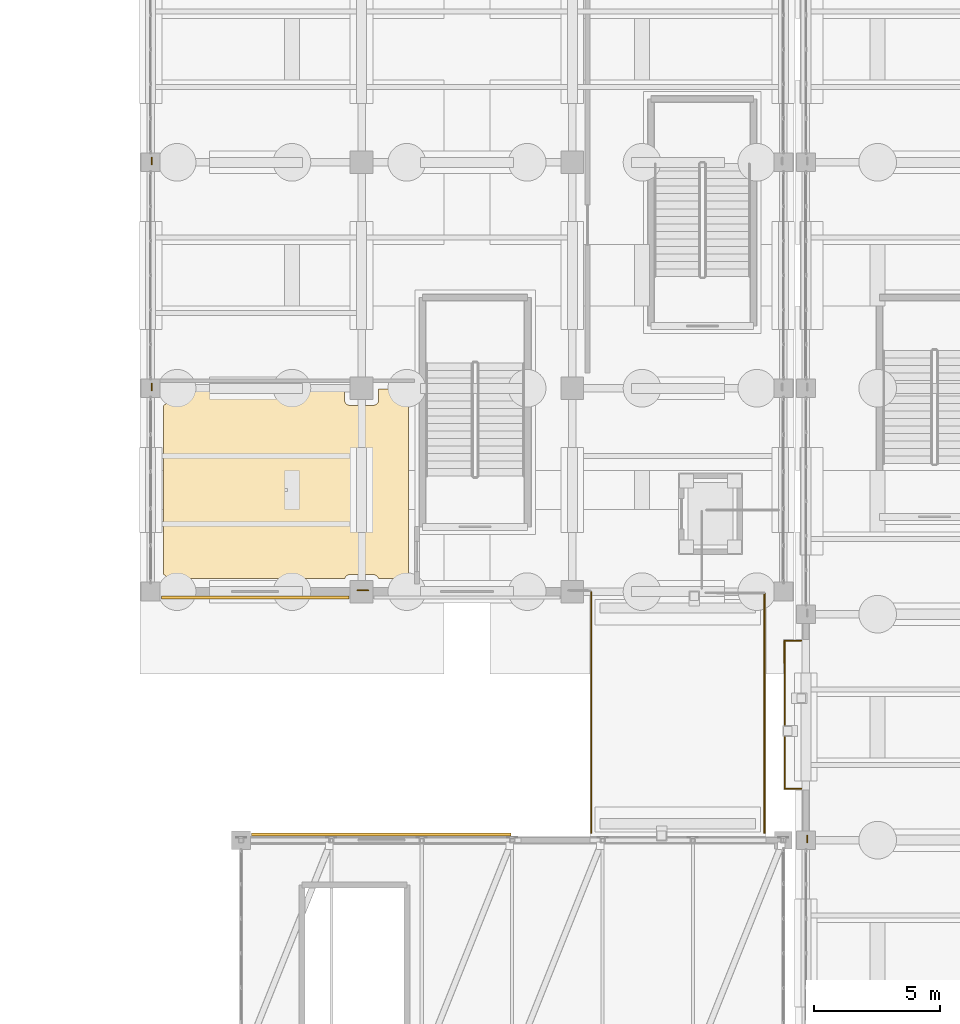
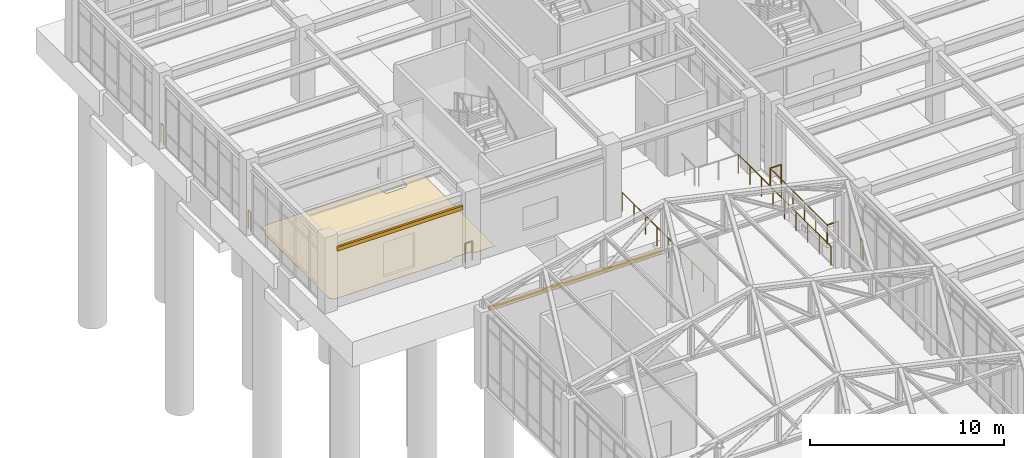
# One storey, part 133 of 139: 9 railings, 3 coverings.
"""IFC4 building model written with IfcOpenShell, lengths in metres."""

from ifc_helpers import new_model, si_unit, direction, frame, origin, origin_2d, place, context, subcontext, project, spatial, polyline, rectangle, circle, outline, extrude, material, layer, layer_set, type_object, element, save


model = new_model("IFC4")

# Units and contexts
model_context = context("Model", 3, precision=1e-05, world=origin(), true_north=direction((0.0, 1.0)))
body_context = subcontext(model_context, "Body", "Model", "MODEL_VIEW")
ifc_project = project(units=[si_unit("LENGTHUNIT", "METRE"), si_unit("AREAUNIT", "SQUARE_METRE"), si_unit("VOLUMEUNIT", "CUBIC_METRE"), si_unit("PLANEANGLEUNIT", "RADIAN"), si_unit("MASSUNIT", "GRAM", prefix="KILO")], contexts=[model_context])

# Site, building, storey
site_placement = place(None, origin())
site = spatial("IfcSite", under=ifc_project, at=site_placement, CompositionType="ELEMENT")
building_placement = place(site_placement, origin())
building = spatial("IfcBuilding", under=site, at=building_placement, Name="Canglan Escarpment Cableway Terminal", CompositionType="ELEMENT")
storey_placement = place(building_placement, frame((0.0, 0.0, 14.39990234375)))
storey = spatial("IfcBuildingStorey", under=building, at=storey_placement, Name="L03", CompositionType="ELEMENT", Elevation=14.39990234375)

# Coverings
ifc_material_1 = material(Name="Carved classical limestone cornice", Category="masonry")
ifc_layer_1 = layer(ifc_material_1, 0.1201171875, Name="Carved classical limestone cornice")
ifc_layer_set_1 = layer_set([ifc_layer_1], Name="Carved classical limestone cornice")
covering_type_1 = type_object("IfcCoveringType", Name="COV-CORNICE-STONE", PredefinedType="CLADDING", material=ifc_layer_set_1)
covering_1_placement = place(storey_placement, frame((120.6875, 79.22998046875, 4.34033203125), z_axis=(0.0, 0.0, 1.0), x_axis=(-1.0, 0.0, 0.0)))
element("IfcCovering", 1, at=covering_1_placement, inside=storey, type_object=covering_type_1, Name="Classical carved limestone cornice CL-01", PredefinedType="CLADDING", context=body_context, shape_type="SweptSolid", body=[
    extrude(rectangle(XDim=10.324951171875, YDim=0.1201171875, at=origin_2d()), origin(), (0.0, 0.0, 1.0), 0.239990234375),
])
covering_2_placement = place(storey_placement, frame((115.66259765625, 88.669921875, 3.630859375), z_axis=(0.0, 0.0, 1.0), x_axis=(1.0, 0.0, 0.0)))
element("IfcCovering", 2, at=covering_2_placement, inside=storey, type_object=covering_type_1, Name="Classical carved limestone cornice CL-01", PredefinedType="CLADDING", context=body_context, shape_type="SweptSolid", body=[
    extrude(rectangle(XDim=7.47509765625, YDim=0.1201171875, at=origin_2d()), origin(), (0.0, 0.0, 1.0), 0.239990234375),
])
ifc_material_2 = material(Name="Honed Sichuan grey granite flooring", Category="masonry")
ifc_layer_2 = layer(ifc_material_2, 0.02001953125, Name="Honed Sichuan grey granite flooring")
ifc_layer_set_2 = layer_set([ifc_layer_2], Name="Honed Sichuan grey granite flooring")
covering_type_2 = type_object("IfcCoveringType", Name="COV-FLR-GRANITE-20", PredefinedType="FLOORING", material=ifc_layer_set_2)
covering_3_placement = place(storey_placement, origin())
element("IfcCovering", 3, at=covering_3_placement, inside=storey, type_object=covering_type_2, Name="Auxiliary Traction Drive Bay stone floor finish", PredefinedType="FLOORING", context=body_context, shape_type="SweptSolid", body=[
    extrude(outline(polyline([(112.033203125, 89.567138671875), (112.031494140625, 89.56787109375), (112.02978515625, 89.56884765625), (112.0283203125, 89.56982421875), (112.02685546875, 89.571044921875), (112.025390625, 89.572265625), (112.024169921875, 89.57373046875), (112.023193359375, 89.5751953125), (112.022216796875, 89.576904296875), (112.021484375, 89.57861328125), (112.020751953125, 89.580322265625), (112.0205078125, 89.582275390625), (112.02001953125, 89.583984375), (112.02001953125, 89.5859375), (112.02001953125, 96.31396484375), (112.02001953125, 96.31591796875), (112.0205078125, 96.31787109375), (112.020751953125, 96.319580078125), (112.021484375, 96.3212890625), (112.022216796875, 96.322998046875), (112.023193359375, 96.32470703125), (112.024169921875, 96.326416015625), (112.025390625, 96.32763671875), (112.02685546875, 96.3291015625), (112.0283203125, 96.330078125), (112.02978515625, 96.331298828125), (112.031494140625, 96.33203125), (112.033203125, 96.332763671875), (112.043701171875, 96.336669921875), (112.044677734375, 96.3369140625), (112.063232421875, 96.345703125), (112.064208984375, 96.34619140625), (112.081787109375, 96.356689453125), (112.08251953125, 96.357421875), (112.09912109375, 96.36962890625), (112.099853515625, 96.370361328125), (112.115234375, 96.384033203125), (112.115966796875, 96.384765625), (112.129638671875, 96.400146484375), (112.13037109375, 96.40087890625), (112.142578125, 96.41748046875), (112.143310546875, 96.418212890625), (112.15380859375, 96.435791015625), (112.154296875, 96.436767578125), (112.1630859375, 96.455322265625), (112.163330078125, 96.456298828125), (112.17041015625, 96.4755859375), (112.170654296875, 96.4765625), (112.17578125, 96.49658203125), (112.17578125, 96.49755859375), (112.178955078125, 96.51806640625), (112.178955078125, 96.518798828125), (112.179931640625, 96.539794921875), (112.179931640625, 96.540283203125), (112.179931640625, 96.9599609375), (112.18017578125, 96.9619140625), (112.180419921875, 96.9638671875), (112.180908203125, 96.9658203125), (112.181396484375, 96.9677734375), (112.182373046875, 96.969482421875), (112.183349609375, 96.97119140625), (112.1845703125, 96.97265625), (112.185791015625, 96.97412109375), (112.187255859375, 96.9755859375), (112.18896484375, 96.9765625), (112.190673828125, 96.9775390625), (112.1923828125, 96.978515625), (112.194091796875, 96.97900390625), (112.196044921875, 96.9794921875), (112.197998046875, 96.97998046875), (112.199951171875, 96.97998046875), (119.199951171875, 96.97998046875), (119.201904296875, 96.97998046875), (119.203857421875, 96.9794921875), (119.205810546875, 96.97900390625), (119.207763671875, 96.978515625), (119.20947265625, 96.9775390625), (119.211181640625, 96.9765625), (119.212646484375, 96.9755859375), (119.214111328125, 96.97412109375), (119.215576171875, 96.97265625), (119.216552734375, 96.97119140625), (119.217529296875, 96.969482421875), (119.218505859375, 96.9677734375), (119.218994140625, 96.9658203125), (119.219482421875, 96.9638671875), (119.219970703125, 96.9619140625), (119.219970703125, 96.9599609375), (119.219970703125, 96.540283203125), (119.219970703125, 96.539794921875), (119.220947265625, 96.518798828125), (119.22119140625, 96.51806640625), (119.22412109375, 96.49755859375), (119.224365234375, 96.49658203125), (119.2294921875, 96.4765625), (119.2294921875, 96.4755859375), (119.236572265625, 96.456298828125), (119.237060546875, 96.455322265625), (119.245849609375, 96.436767578125), (119.24609375, 96.435791015625), (119.2568359375, 96.418212890625), (119.25732421875, 96.41748046875), (119.26953125, 96.40087890625), (119.270263671875, 96.400146484375), (119.2841796875, 96.384765625), (119.284912109375, 96.384033203125), (119.300048828125, 96.370361328125), (119.30078125, 96.36962890625), (119.3173828125, 96.357421875), (119.318115234375, 96.356689453125), (119.3359375, 96.34619140625), (119.336669921875, 96.345703125), (119.35546875, 96.3369140625), (119.356201171875, 96.336669921875), (119.375732421875, 96.32958984375), (119.376708984375, 96.329345703125), (119.396484375, 96.32421875), (119.397705078125, 96.32421875), (119.41796875, 96.321044921875), (119.4189453125, 96.321044921875), (119.439697265625, 96.320068359375), (119.440185546875, 96.320068359375), (120.35986328125, 96.320068359375), (120.360107421875, 96.320068359375), (120.381103515625, 96.321044921875), (120.382080078125, 96.321044921875), (120.40234375, 96.32421875), (120.4033203125, 96.32421875), (120.42333984375, 96.329345703125), (120.42431640625, 96.32958984375), (120.443603515625, 96.336669921875), (120.444580078125, 96.3369140625), (120.46337890625, 96.345703125), (120.464111328125, 96.34619140625), (120.481689453125, 96.356689453125), (120.482666015625, 96.357421875), (120.499267578125, 96.36962890625), (120.5, 96.370361328125), (120.51513671875, 96.384033203125), (120.515869140625, 96.384765625), (120.52978515625, 96.400146484375), (120.530517578125, 96.40087890625), (120.54248046875, 96.41748046875), (120.543212890625, 96.418212890625), (120.5537109375, 96.435791015625), (120.55419921875, 96.436767578125), (120.56298828125, 96.455322265625), (120.5634765625, 96.456298828125), (120.5703125, 96.4755859375), (120.570556640625, 96.4765625), (120.57568359375, 96.49658203125), (120.57568359375, 96.49755859375), (120.578857421875, 96.51806640625), (120.5791015625, 96.518798828125), (120.580078125, 96.539794921875), (120.580078125, 96.540283203125), (120.580078125, 96.9599609375), (120.580078125, 96.9619140625), (120.580322265625, 96.9638671875), (120.580810546875, 96.9658203125), (120.58154296875, 96.9677734375), (120.58251953125, 96.969482421875), (120.58349609375, 96.97119140625), (120.58447265625, 96.97265625), (120.5859375, 96.97412109375), (120.58740234375, 96.9755859375), (120.5888671875, 96.9765625), (120.590576171875, 96.9775390625), (120.59228515625, 96.978515625), (120.59423828125, 96.97900390625), (120.59619140625, 96.9794921875), (120.597900390625, 96.97998046875), (120.60009765625, 96.97998046875), (121.760009765625, 96.97998046875), (121.761962890625, 96.97998046875), (121.763916015625, 96.9794921875), (121.765869140625, 96.97900390625), (121.767578125, 96.978515625), (121.769287109375, 96.9775390625), (121.77099609375, 96.9765625), (121.772705078125, 96.9755859375), (121.774169921875, 96.97412109375), (121.775390625, 96.97265625), (121.776611328125, 96.97119140625), (121.777587890625, 96.969482421875), (121.778564453125, 96.9677734375), (121.779052734375, 96.9658203125), (121.779541015625, 96.9638671875), (121.77978515625, 96.9619140625), (121.780029296875, 96.9599609375), (121.780029296875, 89.43994140625), (121.77978515625, 89.43798828125), (121.779541015625, 89.43603515625), (121.779052734375, 89.43408203125), (121.778564453125, 89.432373046875), (121.777587890625, 89.4306640625), (121.776611328125, 89.428955078125), (121.775390625, 89.42724609375), (121.774169921875, 89.42578125), (121.772705078125, 89.424560546875), (121.77099609375, 89.42333984375), (121.769287109375, 89.42236328125), (121.767578125, 89.42138671875), (121.765869140625, 89.4208984375), (121.763916015625, 89.42041015625), (121.761962890625, 89.420166015625), (121.760009765625, 89.419921875), (120.5859375, 89.419921875), (120.583984375, 89.420166015625), (120.582275390625, 89.42041015625), (120.580322265625, 89.4208984375), (120.57861328125, 89.42138671875), (120.576904296875, 89.422119140625), (120.5751953125, 89.423095703125), (120.57373046875, 89.42431640625), (120.572265625, 89.42529296875), (120.571044921875, 89.4267578125), (120.56982421875, 89.42822265625), (120.56884765625, 89.4296875), (120.56787109375, 89.431396484375), (120.567138671875, 89.433349609375), (120.5634765625, 89.443603515625), (120.56298828125, 89.444580078125), (120.55419921875, 89.46337890625), (120.5537109375, 89.464111328125), (120.543212890625, 89.481689453125), (120.54248046875, 89.482666015625), (120.530517578125, 89.499267578125), (120.52978515625, 89.5), (120.515869140625, 89.51513671875), (120.51513671875, 89.515869140625), (120.5, 89.52978515625), (120.499267578125, 89.530517578125), (120.482666015625, 89.54248046875), (120.481689453125, 89.543212890625), (120.464111328125, 89.5537109375), (120.46337890625, 89.55419921875), (120.444580078125, 89.56298828125), (120.443603515625, 89.5634765625), (120.42431640625, 89.5703125), (120.42333984375, 89.570556640625), (120.4033203125, 89.57568359375), (120.40234375, 89.57568359375), (120.382080078125, 89.578857421875), (120.381103515625, 89.5791015625), (120.360107421875, 89.580078125), (120.35986328125, 89.580078125), (119.440185546875, 89.580078125), (119.439697265625, 89.580078125), (119.4189453125, 89.5791015625), (119.41796875, 89.578857421875), (119.397705078125, 89.57568359375), (119.396484375, 89.57568359375), (119.376708984375, 89.570556640625), (119.375732421875, 89.5703125), (119.356201171875, 89.5634765625), (119.35546875, 89.56298828125), (119.336669921875, 89.55419921875), (119.3359375, 89.5537109375), (119.318115234375, 89.543212890625), (119.3173828125, 89.54248046875), (119.30078125, 89.530517578125), (119.300048828125, 89.52978515625), (119.284912109375, 89.515869140625), (119.2841796875, 89.51513671875), (119.270263671875, 89.5), (119.26953125, 89.499267578125), (119.25732421875, 89.482666015625), (119.2568359375, 89.481689453125), (119.24609375, 89.464111328125), (119.245849609375, 89.46337890625), (119.237060546875, 89.444580078125), (119.236572265625, 89.443603515625), (119.23291015625, 89.433349609375), (119.232177734375, 89.431396484375), (119.231201171875, 89.4296875), (119.230224609375, 89.42822265625), (119.22900390625, 89.4267578125), (119.227783203125, 89.42529296875), (119.226318359375, 89.42431640625), (119.224609375, 89.423095703125), (119.22314453125, 89.422119140625), (119.221435546875, 89.42138671875), (119.219482421875, 89.4208984375), (119.2177734375, 89.42041015625), (119.2158203125, 89.420166015625), (119.214111328125, 89.419921875), (112.18603515625, 89.419921875), (112.18408203125, 89.420166015625), (112.18212890625, 89.42041015625), (112.180419921875, 89.4208984375), (112.1787109375, 89.42138671875), (112.177001953125, 89.422119140625), (112.17529296875, 89.423095703125), (112.173583984375, 89.42431640625), (112.17236328125, 89.42529296875), (112.1708984375, 89.4267578125), (112.169921875, 89.42822265625), (112.168701171875, 89.4296875), (112.16796875, 89.431396484375), (112.167236328125, 89.433349609375), (112.163330078125, 89.443603515625), (112.1630859375, 89.444580078125), (112.154296875, 89.46337890625), (112.15380859375, 89.464111328125), (112.143310546875, 89.481689453125), (112.142578125, 89.482666015625), (112.13037109375, 89.499267578125), (112.129638671875, 89.5), (112.115966796875, 89.51513671875), (112.115234375, 89.515869140625), (112.099853515625, 89.52978515625), (112.09912109375, 89.530517578125), (112.08251953125, 89.54248046875), (112.081787109375, 89.543212890625), (112.064208984375, 89.5537109375), (112.063232421875, 89.55419921875), (112.044677734375, 89.56298828125), (112.043701171875, 89.5634765625), (112.033203125, 89.567138671875)])), origin(), (0.0, 0.0, 1.0), 0.02001953125),
])

# Railings
ifc_material_3 = material(Name="Carved limestone and anodized bronze balustrade", Category="masonry")
railing_type = type_object("IfcRailingType", Name="RL-EXT-BALUSTRADE-1200", PredefinedType="BALUSTRADE", material=ifc_material_3)
railing_1_placement = place(storey_placement, frame((129.050048828125, 79.2900390625, 0.0)))
element("IfcRailing", 4, at=railing_1_placement, inside=storey, type_object=railing_type, Name="Classical terrace balustrade guard GD-01 (L03)", PredefinedType="BALUSTRADE", context=body_context, shape_type="SweptSolid", body=[
    extrude(circle(Radius=0.02392578125, at=origin_2d()), frame((0.0, 0.0, 1.17578125), z_axis=(0.0, 1.0, 0.0), x_axis=(-1.0, 0.0, 0.0)), (0.0, 0.0, 1.0), 9.580078125),
    extrude(circle(Radius=0.02099609375, at=origin_2d()), origin(), (0.0, 0.0, 1.0), 1.15185546875),
    extrude(circle(Radius=0.02099609375, at=origin_2d()), frame((0.0, 1.197509765625, 0.0)), (0.0, 0.0, 1.0), 1.15185546875),
    extrude(circle(Radius=0.02099609375, at=origin_2d()), frame((0.0, 2.39501953125, 0.0)), (0.0, 0.0, 1.0), 1.15185546875),
    extrude(circle(Radius=0.02099609375, at=origin_2d()), frame((0.0, 3.592529296875, 0.0)), (0.0, 0.0, 1.0), 1.15185546875),
    extrude(circle(Radius=0.02099609375, at=origin_2d()), frame((0.0, 4.7900390625, 0.0)), (0.0, 0.0, 1.0), 1.15185546875),
    extrude(circle(Radius=0.02099609375, at=origin_2d()), frame((0.0, 5.987548828125, 0.0)), (0.0, 0.0, 1.0), 1.15185546875),
    extrude(circle(Radius=0.02099609375, at=origin_2d()), frame((0.0, 7.18505859375, 0.0)), (0.0, 0.0, 1.0), 1.15185546875),
    extrude(circle(Radius=0.02099609375, at=origin_2d()), frame((0.0, 8.382568359375, 0.0)), (0.0, 0.0, 1.0), 1.15185546875),
    extrude(circle(Radius=0.02099609375, at=origin_2d()), frame((0.0, 9.580078125, 0.0)), (0.0, 0.0, 1.0), 1.15185546875),
])
railing_2_placement = place(storey_placement, frame((120.159912109375, 88.949951171875, 0.0)))
element("IfcRailing", 5, at=railing_2_placement, inside=storey, type_object=railing_type, Name="Classical terrace balustrade guard GD-01 (L03)", PredefinedType="BALUSTRADE", context=body_context, shape_type="SweptSolid", body=[
    extrude(circle(Radius=0.02392578125, at=origin_2d()), frame((0.0, 0.0, 1.17578125), z_axis=(-1.0, 0.0, 0.0), x_axis=(0.0, -1.0, 0.0)), (0.0, 0.0, 1.0), 0.419921875),
    extrude(circle(Radius=0.02099609375, at=origin_2d()), origin(), (0.0, 0.0, 1.0), 1.15185546875),
    extrude(circle(Radius=0.02099609375, at=origin_2d()), frame((-0.419921875, 0.0, 0.0)), (0.0, 0.0, 1.0), 1.15185546875),
])
for number, where, name in (
    (6, (111.550048828125, 96.9150390625, 0.0), "Classical terrace balustrade guard GD-01 (L03)"),
    (7, (111.550048828125, 105.9150390625, 0.0), "Classical terrace balustrade guard GD-01 (L03)"),
):
    element("IfcRailing", number, at=place(storey_placement, frame(where)), inside=storey, type_object=railing_type, Name=name, PredefinedType="BALUSTRADE", context=body_context, shape_type="SweptSolid", body=[
        extrude(circle(Radius=0.02392578125, at=origin_2d()), frame((0.0, 0.0, 1.17578125), z_axis=(0.0, 1.0, 0.0), x_axis=(-1.0, 0.0, 0.0)), (0.0, 0.0, 1.0), 0.27001953125),
        extrude(circle(Radius=0.02099609375, at=origin_2d()), origin(), (0.0, 0.0, 1.0), 1.15185546875),
        extrude(circle(Radius=0.02099609375, at=origin_2d()), frame((0.0, 0.27001953125, 0.0)), (0.0, 0.0, 1.0), 1.15185546875),
    ])
railing_3_placement = place(storey_placement, frame((135.947998046875, 88.844970703125, 0.0)))
element("IfcRailing", 8, at=railing_3_placement, inside=storey, type_object=railing_type, Name="Classical terrace balustrade guard GD-01 (L03)", PredefinedType="BALUSTRADE", context=body_context, shape_type="SweptSolid", body=[
    extrude(circle(Radius=0.02392578125, at=origin_2d()), frame((0.0, 0.0, 1.17578125), z_axis=(0.000204410145, -0.999999979108, 0.0), x_axis=(0.999999979108, 0.000204410145, 0.0)), (0.0, 0.0, 1.0), 9.554931640625),
    extrude(circle(Radius=0.02099609375, at=origin_2d()), origin(), (0.0, 0.0, 1.0), 1.15185546875),
    extrude(circle(Radius=0.02099609375, at=origin_2d()), frame((0.000244140625, -1.1943359375, 0.0)), (0.0, 0.0, 1.0), 1.15185546875),
    extrude(circle(Radius=0.02099609375, at=origin_2d()), frame((0.00048828125, -2.388671875, 0.0)), (0.0, 0.0, 1.0), 1.15185546875),
    extrude(circle(Radius=0.02099609375, at=origin_2d()), frame((0.000732421875, -3.5830078125, 0.0)), (0.0, 0.0, 1.0), 1.15185546875),
    extrude(circle(Radius=0.02099609375, at=origin_2d()), frame((0.0009765625, -4.77734375, 0.0)), (0.0, 0.0, 1.0), 1.15185546875),
    extrude(circle(Radius=0.02099609375, at=origin_2d()), frame((0.001220703125, -5.971923828125, 0.0)), (0.0, 0.0, 1.0), 1.15185546875),
    extrude(circle(Radius=0.02099609375, at=origin_2d()), frame((0.00146484375, -7.166259765625, 0.0)), (0.0, 0.0, 1.0), 1.15185546875),
    extrude(circle(Radius=0.02099609375, at=origin_2d()), frame((0.001708984375, -8.360595703125, 0.0)), (0.0, 0.0, 1.0), 1.15185546875),
    extrude(circle(Radius=0.02099609375, at=origin_2d()), frame((0.001953125, -9.554931640625, 0.0)), (0.0, 0.0, 1.0), 1.15185546875),
])
railing_4_placement = place(storey_placement, frame((137.64990234375, 78.9150390625, 0.0)))
element("IfcRailing", 9, at=railing_4_placement, inside=storey, type_object=railing_type, Name="Classical terrace balustrade guard GD-01 (L03)", PredefinedType="BALUSTRADE", context=body_context, shape_type="SweptSolid", body=[
    extrude(circle(Radius=0.02392578125, at=origin_2d()), frame((0.0, 0.0, 1.17578125), z_axis=(0.0, 1.0, 0.0), x_axis=(-1.0, 0.0, 0.0)), (0.0, 0.0, 1.0), 0.27001953125),
    extrude(circle(Radius=0.02099609375, at=origin_2d()), origin(), (0.0, 0.0, 1.0), 1.15185546875),
    extrude(circle(Radius=0.02099609375, at=origin_2d()), frame((0.0, 0.27001953125, 0.0)), (0.0, 0.0, 1.0), 1.15185546875),
])
railing_5_placement = place(storey_placement, frame((137.409912109375, 81.050048828125, 0.0)))
element("IfcRailing", 10, at=railing_5_placement, inside=storey, type_object=railing_type, Name="Classical terrace balustrade guard GD-01 (L03)", PredefinedType="BALUSTRADE", context=body_context, shape_type="SweptSolid", body=[
    extrude(circle(Radius=0.02392578125, at=origin_2d()), frame((0.0, 0.0, 1.17578125), z_axis=(-1.0, 0.0, 0.0), x_axis=(0.0, -1.0, 0.0)), (0.0, 0.0, 1.0), 0.657958984375),
    extrude(circle(Radius=0.02099609375, at=origin_2d()), origin(), (0.0, 0.0, 1.0), 1.15185546875),
    extrude(circle(Radius=0.02099609375, at=origin_2d()), frame((-0.657958984375, 0.0, 0.0)), (0.0, 0.0, 1.0), 1.15185546875),
])
railing_6_placement = place(storey_placement, frame((136.751953125, 81.050048828125, 0.0)))
element("IfcRailing", 11, at=railing_6_placement, inside=storey, type_object=railing_type, Name="Classical terrace balustrade guard GD-01 (L03)", PredefinedType="BALUSTRADE", context=body_context, shape_type="SweptSolid", body=[
    extrude(circle(Radius=0.02392578125, at=origin_2d()), frame((0.0, 0.0, 1.17578125), z_axis=(-0.000331153223, 0.999999945169, 0.0), x_axis=(-0.999999945169, -0.000331153223, 0.0)), (0.0, 0.0, 1.0), 5.89794921875),
    extrude(circle(Radius=0.02099609375, at=origin_2d()), origin(), (0.0, 0.0, 1.0), 1.15185546875),
    extrude(circle(Radius=0.02099609375, at=origin_2d()), frame((-0.00048828125, 1.1796875, 0.0)), (0.0, 0.0, 1.0), 1.15185546875),
    extrude(circle(Radius=0.02099609375, at=origin_2d()), frame((-0.000732421875, 2.359130859375, 0.0)), (0.0, 0.0, 1.0), 1.15185546875),
    extrude(circle(Radius=0.02099609375, at=origin_2d()), frame((-0.001220703125, 3.538818359375, 0.0)), (0.0, 0.0, 1.0), 1.15185546875),
    extrude(circle(Radius=0.02099609375, at=origin_2d()), frame((-0.00146484375, 4.71826171875, 0.0)), (0.0, 0.0, 1.0), 1.15185546875),
    extrude(circle(Radius=0.02099609375, at=origin_2d()), frame((-0.001953125, 5.89794921875, 0.0)), (0.0, 0.0, 1.0), 1.15185546875),
])
railing_7_placement = place(storey_placement, frame((136.75, 86.947998046875, 0.0)))
element("IfcRailing", 12, at=railing_7_placement, inside=storey, type_object=railing_type, Name="Classical terrace balustrade guard GD-01 (L03)", PredefinedType="BALUSTRADE", context=body_context, shape_type="SweptSolid", body=[
    extrude(circle(Radius=0.02392578125, at=origin_2d()), frame((0.0, 0.0, 1.17578125), z_axis=(0.999995620192, 0.002959661473, 0.0), x_axis=(-0.002959661473, 0.999995620192, 0.0)), (0.0, 0.0, 1.0), 0.659912109375),
    extrude(circle(Radius=0.02099609375, at=origin_2d()), origin(), (0.0, 0.0, 1.0), 1.15185546875),
    extrude(circle(Radius=0.02099609375, at=origin_2d()), frame((0.659912109375, 0.001953125, 0.0)), (0.0, 0.0, 1.0), 1.15185546875),
])

save(model, "model.ifc")
